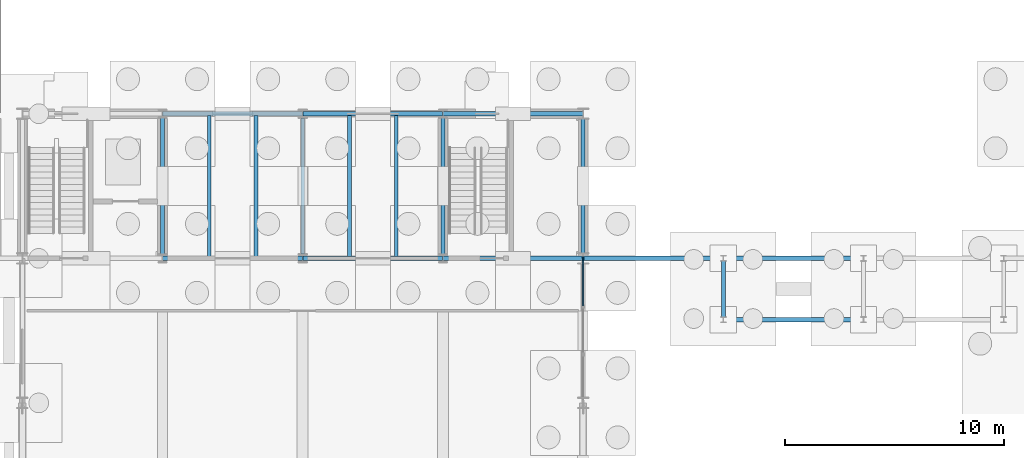
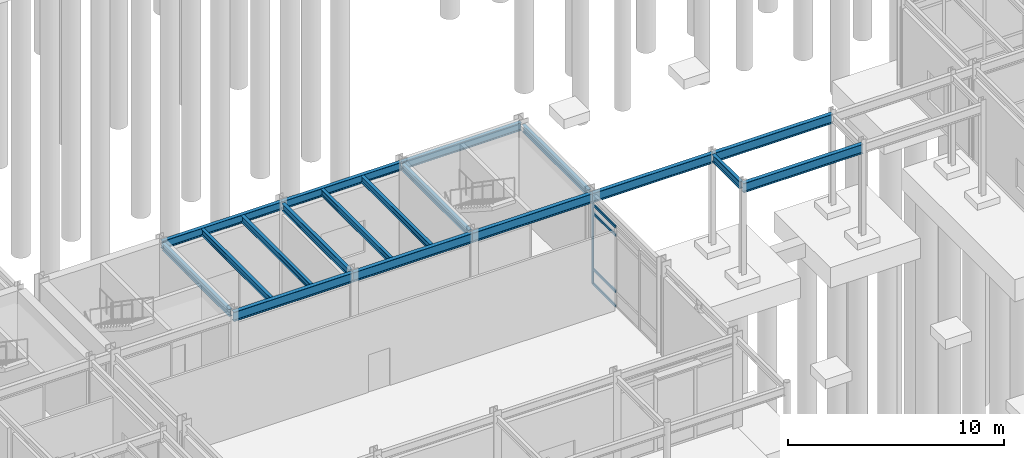
# One storey, part 34 of 82: 18 beams, 5 members, 1 element without a shape of its own.
"""IFC4 building model written with IfcOpenShell, lengths in metres."""

from ifc_helpers import new_model, si_unit, direction, frame, origin, origin_2d, place, context, subcontext, project, spatial, rectangle, i_section, extrude, material, layer, layer_set, material_profile, profile_set, type_object, element, aggregate, save


model = new_model("IFC4")

# Units and contexts
model_context = context("Model", 3, precision=1e-05, world=origin(), true_north=direction((0.0, 1.0)))
body_context = subcontext(model_context, "Body", "Model", "MODEL_VIEW")
ifc_project = project(units=[si_unit("LENGTHUNIT", "METRE"), si_unit("AREAUNIT", "SQUARE_METRE"), si_unit("VOLUMEUNIT", "CUBIC_METRE"), si_unit("PLANEANGLEUNIT", "RADIAN"), si_unit("MASSUNIT", "GRAM", prefix="KILO")], contexts=[model_context])

# Site, building, storey
site_placement = place(None, origin())
site = spatial("IfcSite", under=ifc_project, at=site_placement, CompositionType="ELEMENT")
building_placement = place(site_placement, origin())
building = spatial("IfcBuilding", under=site, at=building_placement, Name="Trelmorton Wharf Fire Station", CompositionType="ELEMENT")
storey_placement = place(building_placement, origin())
storey = spatial("IfcBuildingStorey", under=building, at=storey_placement, Name="L00", CompositionType="ELEMENT", Elevation=0.0)

# Beams
ifc_material_1 = material(Name="Steel Grade 350", Category="steel")
ifc_material_profile_1 = material_profile(ifc_material_1, i_section(OverallWidth=0.177978515625, OverallDepth=0.406005859375, WebThickness=0.0078125, FlangeThickness=0.0126953125, FilletRadius=0.011474609375, at=origin_2d()), Name="410UB59.7")
ifc_profile_set_1 = profile_set([ifc_material_profile_1], Name="Steel Grade 350")
beam_type_1 = type_object("IfcBeamType", Name="BM_410UB60", PredefinedType="BEAM", material=ifc_profile_set_1)
for number, where, z_axis, x_axis, name in (
    (1, (64.39990234375, 21.196044921875, 4.927001953125), (0.0, 1.0, 0.0), (-1.0, 0.0, 0.0), "BM-L00-0285"),
    (2, (70.800048828125, 21.196044921875, 4.927001953125), (0.0, 1.0, 0.0), (-1.0, 0.0, 0.0), "BM-L00-0287"),
    (3, (77.199951171875, 21.196044921875, 4.927001953125), (0.0, 1.0, 0.0), (-1.0, 0.0, 0.0), "BM-L00-0293"),
):
    element("IfcBeam", number, at=place(storey_placement, frame(where, z_axis=z_axis, x_axis=x_axis)), inside=storey, type_object=beam_type_1, Name=name, PredefinedType="BEAM", context=body_context, shape_type="SweptSolid", body=[
        extrude(i_section(OverallWidth=0.177978515625, OverallDepth=0.406005859375, WebThickness=0.0078125, FlangeThickness=0.0126953125, FilletRadius=0.011474609375, at=origin_2d()), origin(), (0.0, 0.0, 1.0), 6.2080078125),
    ])
beam_1_placement = place(storey_placement, frame((83.60009765625, 21.24609375, 4.927001953125), z_axis=(0.0, 1.0, 0.0), x_axis=(-1.0, 0.0, 0.0)))
element("IfcBeam", 4, at=beam_1_placement, inside=storey, type_object=beam_type_1, Name="BM-L00-0301", PredefinedType="BEAM", context=body_context, shape_type="SweptSolid", body=[
    extrude(i_section(OverallWidth=0.177978515625, OverallDepth=0.406005859375, WebThickness=0.0078125, FlangeThickness=0.0126953125, FilletRadius=0.011474609375, at=origin_2d()), origin(), (0.0, 0.0, 1.0), 6.10791015625),
])
beam_2_placement = place(storey_placement, frame((90.0, 18.322998046875, 4.927001953125), z_axis=(0.0, 1.0, 0.0), x_axis=(-1.0, 0.0, 0.0)))
element("IfcBeam", 5, at=beam_2_placement, inside=storey, type_object=beam_type_1, Name="BM-L00-0306", PredefinedType="BEAM", context=body_context, shape_type="SweptSolid", body=[
    extrude(i_section(OverallWidth=0.177978515625, OverallDepth=0.406005859375, WebThickness=0.0078125, FlangeThickness=0.0126953125, FilletRadius=0.011474609375, at=origin_2d()), origin(), (0.0, 0.0, 1.0), 2.553955078125),
])
ifc_material_profile_2 = material_profile(ifc_material_1, i_section(OverallWidth=0.208984375, OverallDepth=0.532958984375, WebThickness=0.01025390625, FlangeThickness=0.015625, FilletRadius=0.013916015625, at=origin_2d()), Name="530UB92.4")
ifc_profile_set_2 = profile_set([ifc_material_profile_2], Name="Steel Grade 350")
beam_type_2 = type_object("IfcBeamType", Name="BM_530UB92", PredefinedType="BEAM", material=ifc_profile_set_2)
beam_3_placement = place(storey_placement, frame((90.00390625, 18.199951171875, 4.863525390625), z_axis=(1.0, 0.0, 0.0), x_axis=(0.0, 1.0, 0.0)))
element("IfcBeam", 6, at=beam_3_placement, inside=storey, type_object=beam_type_2, Name="BM-L00-0058", PredefinedType="BEAM", context=body_context, shape_type="SweptSolid", body=[
    extrude(i_section(OverallWidth=0.208984375, OverallDepth=0.532958984375, WebThickness=0.01025390625, FlangeThickness=0.015625, FilletRadius=0.013916015625, at=origin_2d()), origin(), (0.0, 0.0, 1.0), 6.39208984375),
])
beam_4_placement = place(storey_placement, frame((64.407958984375, 21.0, 4.863525390625), z_axis=(1.0, 0.0, 0.0), x_axis=(0.0, 1.0, 0.0)))
element("IfcBeam", 7, at=beam_4_placement, inside=storey, type_object=beam_type_2, Name="BM-L00-0064", PredefinedType="BEAM", context=body_context, shape_type="SweptSolid", body=[
    extrude(i_section(OverallWidth=0.208984375, OverallDepth=0.532958984375, WebThickness=0.01025390625, FlangeThickness=0.015625, FilletRadius=0.013916015625, at=origin_2d()), origin(), (0.0, 0.0, 1.0), 6.384033203125),
])
beam_5_placement = place(storey_placement, frame((70.80810546875, 21.0, 4.863525390625), z_axis=(1.0, 0.0, 0.0), x_axis=(0.0, 1.0, 0.0)))
element("IfcBeam", 8, at=beam_5_placement, inside=storey, type_object=beam_type_2, Name="BM-L00-0065", PredefinedType="BEAM", context=body_context, shape_type="SweptSolid", body=[
    extrude(i_section(OverallWidth=0.208984375, OverallDepth=0.532958984375, WebThickness=0.01025390625, FlangeThickness=0.015625, FilletRadius=0.013916015625, at=origin_2d()), origin(), (0.0, 0.0, 1.0), 6.3837890625),
])
beam_6_placement = place(storey_placement, frame((77.2080078125, 21.0, 4.863525390625), z_axis=(1.0, 0.0, 0.0), x_axis=(0.0, 1.0, 0.0)))
element("IfcBeam", 9, at=beam_6_placement, inside=storey, type_object=beam_type_2, Name="BM-L00-0066", PredefinedType="BEAM", context=body_context, shape_type="SweptSolid", body=[
    extrude(i_section(OverallWidth=0.208984375, OverallDepth=0.532958984375, WebThickness=0.01025390625, FlangeThickness=0.015625, FilletRadius=0.013916015625, at=origin_2d()), origin(), (0.0, 0.0, 1.0), 6.384033203125),
])
beam_7_placement = place(storey_placement, frame((83.60791015625, 21.0, 4.863525390625), z_axis=(1.0, 0.0, 0.0), x_axis=(0.0, 1.0, 0.0)))
element("IfcBeam", 10, at=beam_7_placement, inside=storey, type_object=beam_type_2, Name="BM-L00-0067", PredefinedType="BEAM", context=body_context, shape_type="SweptSolid", body=[
    extrude(i_section(OverallWidth=0.208984375, OverallDepth=0.532958984375, WebThickness=0.01025390625, FlangeThickness=0.015625, FilletRadius=0.013916015625, at=origin_2d()), origin(), (0.0, 0.0, 1.0), 6.38818359375),
])
beam_8_placement = place(storey_placement, frame((90.00390625, 21.0, 4.863525390625), z_axis=(1.0, 0.0, 0.0), x_axis=(0.0, 1.0, 0.0)))
element("IfcBeam", 11, at=beam_8_placement, inside=storey, type_object=beam_type_2, Name="BM-L00-0068", PredefinedType="BEAM", context=body_context, shape_type="SweptSolid", body=[
    extrude(i_section(OverallWidth=0.208984375, OverallDepth=0.532958984375, WebThickness=0.01025390625, FlangeThickness=0.015625, FilletRadius=0.013916015625, at=origin_2d()), origin(), (0.0, 0.0, 1.0), 6.39208984375),
])

# Curtain wall, members
ifc_material_2 = material(Name="Anodised aluminium AW-6063", Category="aluminium")
ifc_layer = layer(ifc_material_2, 0.14990234375)
ifc_layer_set = layer_set([ifc_layer], Name="Anodised aluminium AW-6063")
curtain_wall_type = type_object("IfcCurtainWallType", Name="CW_UNIT_A", PredefinedType="USERDEFINED", material=ifc_layer_set)
curtain_wall_placement = place(storey_placement, origin())
curtain_wall = element("IfcCurtainWall", 12, at=curtain_wall_placement, inside=storey, type_object=curtain_wall_type, Name="CW-V3-L00-021", ObjectType="UNITISED CURTAIN WALL", PredefinedType="USERDEFINED")
ifc_material_profile_3 = material_profile(ifc_material_2, rectangle(XDim=0.06494140625, YDim=0.159912109375, at=origin_2d()), Name="ALU-65x160")
ifc_profile_set_3 = profile_set([ifc_material_profile_3], Name="Anodised aluminium AW-6063")
member_type_1 = type_object("IfcMemberType", Name="CWM_65x160", PredefinedType="MULLION", material=ifc_profile_set_3)
member_1_placement = place(storey_placement, frame((83.60009765625, 20.965087890625, 0.0), z_axis=(0.0, 0.0, 1.0), x_axis=(1.0, 0.0, 0.0)))
member_1 = element("IfcMember", 13, at=member_1_placement, type_object=member_type_1, Name="CW3 mullion 1", PredefinedType="MULLION", context=body_context, shape_type="SweptSolid", body=[
    extrude(rectangle(XDim=0.06494140625, YDim=0.159912109375, at=origin_2d()), origin(), (0.0, 0.0, 1.0), 4.52001953125),
])
ifc_material_profile_4 = material_profile(ifc_material_2, rectangle(XDim=0.06494140625, YDim=0.139892578125, at=origin_2d()), Name="ALU-65x140")
ifc_profile_set_4 = profile_set([ifc_material_profile_4], Name="Anodised aluminium AW-6063")
member_type_2 = type_object("IfcMemberType", Name="CWT_65x140", PredefinedType="USERDEFINED", material=ifc_profile_set_4)
member_2_placement = place(storey_placement, frame((83.60009765625, 20.93505859375, 0.030029296875), z_axis=(0.0, -1.0, 0.0), x_axis=(1.0, 0.0, 0.0)))
member_2 = element("IfcMember", 14, at=member_2_placement, type_object=member_type_2, Name="CW3 transom 1.1", ObjectType="TRANSOM", PredefinedType="USERDEFINED", context=body_context, shape_type="SweptSolid", body=[
    extrude(rectangle(XDim=0.06494140625, YDim=0.139892578125, at=origin_2d()), origin(), (0.0, 0.0, 1.0), 2.106689453125),
])
member_3_placement = place(storey_placement, frame((83.60009765625, 20.93505859375, 0.85009765625), z_axis=(0.0, -1.0, 0.0), x_axis=(1.0, 0.0, 0.0)))
member_3 = element("IfcMember", 15, at=member_3_placement, type_object=member_type_2, Name="CW3 transom 1.2", ObjectType="TRANSOM", PredefinedType="USERDEFINED", context=body_context, shape_type="SweptSolid", body=[
    extrude(rectangle(XDim=0.06494140625, YDim=0.139892578125, at=origin_2d()), origin(), (0.0, 0.0, 1.0), 2.106689453125),
])
member_4_placement = place(storey_placement, frame((83.60009765625, 20.93505859375, 4.02001953125), z_axis=(0.0, -1.0, 0.0), x_axis=(1.0, 0.0, 0.0)))
member_4 = element("IfcMember", 16, at=member_4_placement, type_object=member_type_2, Name="CW3 transom 1.3", ObjectType="TRANSOM", PredefinedType="USERDEFINED", context=body_context, shape_type="SweptSolid", body=[
    extrude(rectangle(XDim=0.06494140625, YDim=0.139892578125, at=origin_2d()), origin(), (0.0, 0.0, 1.0), 2.106689453125),
])
member_5_placement = place(storey_placement, frame((83.60009765625, 20.93505859375, 4.489990234375), z_axis=(0.0, -1.0, 0.0), x_axis=(1.0, 0.0, 0.0)))
member_5 = element("IfcMember", 17, at=member_5_placement, type_object=member_type_2, Name="CW3 transom 1.4", ObjectType="TRANSOM", PredefinedType="USERDEFINED", context=body_context, shape_type="SweptSolid", body=[
    extrude(rectangle(XDim=0.06494140625, YDim=0.139892578125, at=origin_2d()), origin(), (0.0, 0.0, 1.0), 2.106689453125),
])
aggregate(curtain_wall, [member_1, member_2, member_3, member_4, member_5])

# Beams
ifc_material_profile_5 = material_profile(ifc_material_1, i_section(OverallWidth=0.172119140625, OverallDepth=0.35888671875, WebThickness=0.008056640625, FlangeThickness=0.012939453125, FilletRadius=0.011474609375, at=origin_2d()), Name="360UB56.7")
ifc_profile_set_5 = profile_set([ifc_material_profile_5], Name="Steel Grade 350")
beam_type_3 = type_object("IfcBeamType", Name="JS_360UB57", PredefinedType="JOIST", material=ifc_profile_set_5)
for number, where, z_axis, x_axis, name in (
    (18, (66.533203125, 21.090087890625, 4.950439453125), (0.0, 1.0, 0.0), (-1.0, 0.0, 0.0), "JS-L00-0055"),
    (19, (68.666748046875, 21.090087890625, 4.950439453125), (0.0, 1.0, 0.0), (-1.0, 0.0, 0.0), "JS-L00-0056"),
    (20, (72.933349609375, 21.090087890625, 4.950439453125), (0.0, 1.0, 0.0), (-1.0, 0.0, 0.0), "JS-L00-0057"),
    (21, (75.066650390625, 21.090087890625, 4.950439453125), (0.0, 1.0, 0.0), (-1.0, 0.0, 0.0), "JS-L00-0058"),
):
    element("IfcBeam", number, at=place(storey_placement, frame(where, z_axis=z_axis, x_axis=x_axis)), inside=storey, type_object=beam_type_3, Name=name, PredefinedType="JOIST", context=body_context, shape_type="SweptSolid", body=[
        extrude(i_section(OverallWidth=0.172119140625, OverallDepth=0.35888671875, WebThickness=0.008056640625, FlangeThickness=0.012939453125, FilletRadius=0.011474609375, at=origin_2d()), origin(), (0.0, 0.0, 1.0), 6.419921875),
    ])
ifc_material_profile_6 = material_profile(ifc_material_1, i_section(OverallWidth=0.18994140625, OverallDepth=0.45703125, WebThickness=0.009033203125, FlangeThickness=0.014404296875, FilletRadius=0.011474609375, at=origin_2d()), Name="460UB74.6")
ifc_profile_set_6 = profile_set([ifc_material_profile_6], Name="Steel Grade 350")
beam_type_4 = type_object("IfcBeamType", Name="SP_460UB75", PredefinedType="SPANDREL", material=ifc_profile_set_6)
beam_9_placement = place(storey_placement, frame((64.407958984375, 27.60009765625, 4.901611328125), z_axis=(1.0, 0.0, 0.0), x_axis=(0.0, 1.0, 0.0)))
element("IfcBeam", 22, at=beam_9_placement, inside=storey, type_object=beam_type_4, Name="BM-L00-0091", PredefinedType="SPANDREL", context=body_context, shape_type="SweptSolid", body=[
    extrude(i_section(OverallWidth=0.18994140625, OverallDepth=0.45703125, WebThickness=0.009033203125, FlangeThickness=0.014404296875, FilletRadius=0.011474609375, at=origin_2d()), origin(), (0.0, 0.0, 1.0), 6.384033203125),
])
beam_10_placement = place(storey_placement, frame((70.80810546875, 27.60009765625, 4.901611328125), z_axis=(1.0, 0.0, 0.0), x_axis=(0.0, 1.0, 0.0)))
element("IfcBeam", 23, at=beam_10_placement, inside=storey, type_object=beam_type_4, Name="BM-L00-0092", PredefinedType="SPANDREL", context=body_context, shape_type="SweptSolid", body=[
    extrude(i_section(OverallWidth=0.18994140625, OverallDepth=0.45703125, WebThickness=0.009033203125, FlangeThickness=0.014404296875, FilletRadius=0.011474609375, at=origin_2d()), origin(), (0.0, 0.0, 1.0), 6.3837890625),
])
beam_11_placement = place(storey_placement, frame((77.2080078125, 27.60009765625, 4.901611328125), z_axis=(1.0, 0.0, 0.0), x_axis=(0.0, 1.0, 0.0)))
element("IfcBeam", 24, at=beam_11_placement, inside=storey, type_object=beam_type_4, Name="BM-L00-0093", PredefinedType="SPANDREL", context=body_context, shape_type="SweptSolid", body=[
    extrude(i_section(OverallWidth=0.18994140625, OverallDepth=0.45703125, WebThickness=0.009033203125, FlangeThickness=0.014404296875, FilletRadius=0.011474609375, at=origin_2d()), origin(), (0.0, 0.0, 1.0), 6.384033203125),
])

save(model, "model.ifc")
